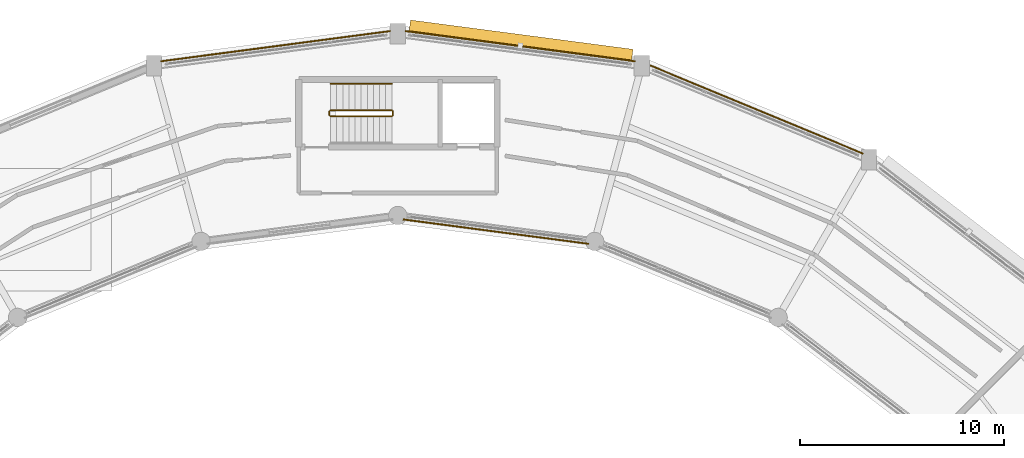
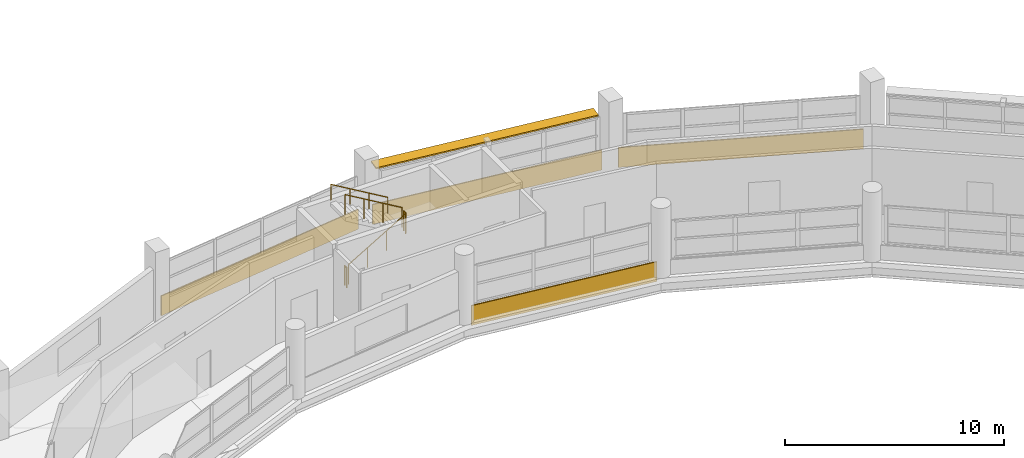
# One storey, part 87 of 88: 5 railings, 4 coverings, 1 shading device.
"""IFC4 building model written with IfcOpenShell, lengths in metres."""

from ifc_helpers import new_model, si_unit, direction, frame, frame_2d, origin, origin_2d, place, context, subcontext, project, spatial, rectangle, circle, extrude, material, layer, layer_set, type_object, element, save


model = new_model("IFC4")

# Units and contexts
model_context = context("Model", 3, precision=1e-05, world=origin(), true_north=direction((0.0, 1.0)))
body_context = subcontext(model_context, "Body", "Model", "MODEL_VIEW")
ifc_project = project(units=[si_unit("LENGTHUNIT", "METRE"), si_unit("AREAUNIT", "SQUARE_METRE"), si_unit("VOLUMEUNIT", "CUBIC_METRE"), si_unit("PLANEANGLEUNIT", "RADIAN"), si_unit("MASSUNIT", "GRAM", prefix="KILO")], contexts=[model_context])

# Site, building, storey
site_placement = place(None, origin())
site = spatial("IfcSite", under=ifc_project, at=site_placement, CompositionType="ELEMENT")
building_placement = place(site_placement, origin())
building = spatial("IfcBuilding", under=site, at=building_placement, Name="Vespera Passage Community Centre", CompositionType="ELEMENT")
storey_placement = place(building_placement, frame((0.0, 0.0, 16.5)))
storey = spatial("IfcBuildingStorey", under=building, at=storey_placement, Name="L04", CompositionType="ELEMENT", Elevation=16.5)

# Coverings
ifc_material_1 = material(Name="Precast concrete f'c 40 MPa", Category="concrete")
ifc_layer = layer(ifc_material_1, 0.06005859375)
ifc_layer_set = layer_set([ifc_layer], Name="Precast concrete f'c 40 MPa")
covering_type = type_object("IfcCoveringType", Name="COV-CLAD-60E", PredefinedType="CLADDING", material=ifc_layer_set)
covering_1_placement = place(storey_placement, frame((90.3486328125, 110.04052734375, -0.280029296875), z_axis=(0.0, 0.0, 1.0), x_axis=(0.923883530636, -0.382673779896, 0.0)))
element("IfcCovering", 1, at=covering_1_placement, inside=storey, type_object=covering_type, Name="V4 L04 Outer White Spandrel Band O4", PredefinedType="CLADDING", context=body_context, shape_type="SweptSolid", body=[
    extrude(rectangle(XDim=11.2724609375, YDim=0.06005859375, at=frame_2d((5.63623046875, 0.0))), origin(), (0.0, 0.0, 1.0), 1.10009765625),
])
covering_2_placement = place(storey_placement, frame((78.372314453125, 111.722412109375, -0.280029296875), z_axis=(0.0, 0.0, 1.0), x_axis=(0.991446004399, -0.130517509785, 0.0)))
element("IfcCovering", 2, at=covering_2_placement, inside=storey, type_object=covering_type, Name="V4 L04 Outer White Spandrel Band O5", PredefinedType="CLADDING", context=body_context, shape_type="SweptSolid", body=[
    extrude(rectangle(XDim=11.328125, YDim=0.06005859375, at=frame_2d((5.6640625, 0.0))), origin(), (0.0, 0.0, 1.0), 1.10009765625),
])
covering_3_placement = place(storey_placement, frame((87.332763671875, 101.31494140625, -0.280029296875), z_axis=(0.0, 0.0, 1.0), x_axis=(-0.99144567161, 0.13052003772, 0.0)))
element("IfcCovering", 3, at=covering_3_placement, inside=storey, type_object=covering_type, Name="V4 L04 Inner Court White Spandrel Band I5", PredefinedType="CLADDING", context=body_context, shape_type="SweptSolid", body=[
    extrude(rectangle(XDim=9.15625, YDim=0.06005859375, at=frame_2d((4.578125, 0.0))), origin(), (0.0, 0.0, 1.0), 1.10009765625),
])
covering_4_placement = place(storey_placement, frame((66.396484375, 110.243896484375, -0.280029296875), z_axis=(0.0, 0.0, 1.0), x_axis=(0.991446004399, 0.130517509785, 0.0)))
element("IfcCovering", 4, at=covering_4_placement, inside=storey, type_object=covering_type, Name="V4 L04 Outer White Spandrel Band O6", PredefinedType="CLADDING", context=body_context, shape_type="SweptSolid", body=[
    extrude(rectangle(XDim=11.328125, YDim=0.06005859375, at=frame_2d((5.6640625, 0.0))), origin(), (0.0, 0.0, 1.0), 1.10009765625),
])

# Railings
ifc_material_2 = material(Name="Steel ASTM A500 Grade C", Category="steel")
railing_type_1 = type_object("IfcRailingType", Name="RL-HAND-900I", PredefinedType="HANDRAIL", material=ifc_material_2)
railing_1_placement = place(storey_placement, frame((77.705078125, 109.14990234375, 2.127197265625)))
element("IfcRailing", 5, at=railing_1_placement, inside=storey, type_object=railing_type_1, Name="L04 ST06 stair handrail 2", PredefinedType="HANDRAIL", context=body_context, shape_type="SweptSolid", body=[
    extrude(circle(Radius=0.02392578125, at=origin_2d()), frame((0.0, 0.0, 0.8759765625), z_axis=(-0.86092931783, 0.0, 0.508724591208), x_axis=(0.0, -1.0, 0.0)), (0.0, 0.0, 1.0), 3.484619140625),
    extrude(circle(Radius=0.02099609375, at=origin_2d()), origin(), (0.0, 0.0, 1.0), 0.851806640625),
    extrude(circle(Radius=0.02099609375, at=origin_2d()), frame((-1.0, 0.0, 0.5908203125)), (0.0, 0.0, 1.0), 0.851806640625),
    extrude(circle(Radius=0.02099609375, at=origin_2d()), frame((-2.0, 0.0, 1.181884765625)), (0.0, 0.0, 1.0), 0.851806640625),
    extrude(circle(Radius=0.02099609375, at=origin_2d()), frame((-3.0, 0.0, 1.772705078125)), (0.0, 0.0, 1.0), 0.851806640625),
])
ifc_material_3 = material(Name="Steel ASTM A500 Grade C", Category="steel")
railing_type_2 = type_object("IfcRailingType", Name="RL-STAIR-1100I", PredefinedType="GUARDRAIL", material=ifc_material_3)
railing_2_placement = place(storey_placement, frame((74.705078125, 107.550048828125, 0.17724609375)))
element("IfcRailing", 6, at=railing_2_placement, inside=storey, type_object=railing_type_2, Name="L04 ST06 stair guard 1", PredefinedType="GUARDRAIL", context=body_context, shape_type="SweptSolid", body=[
    extrude(circle(Radius=0.02392578125, at=origin_2d()), frame((0.0, 0.0, 1.09619140625), z_axis=(0.86092931783, 0.0, 0.508724591208), x_axis=(0.0, 1.0, 0.0)), (0.0, 0.0, 1.0), 3.484619140625),
    extrude(circle(Radius=0.02099609375, at=origin_2d()), origin(), (0.0, 0.0, 1.0), 1.072021484375),
    extrude(circle(Radius=0.02099609375, at=origin_2d()), frame((1.0, 0.0, 0.5908203125)), (0.0, 0.0, 1.0), 1.072021484375),
    extrude(circle(Radius=0.02099609375, at=origin_2d()), frame((2.0, 0.0, 1.181884765625)), (0.0, 0.0, 1.0), 1.072021484375),
    extrude(circle(Radius=0.02099609375, at=origin_2d()), frame((3.0, 0.0, 1.772705078125)), (0.0, 0.0, 1.0), 1.072021484375),
])
railing_3_placement = place(storey_placement, frame((77.7548828125, 107.60009765625, 1.949951171875)))
element("IfcRailing", 7, at=railing_3_placement, inside=storey, type_object=railing_type_2, Name="L04 ST06 stair guard 2", PredefinedType="GUARDRAIL", context=body_context, shape_type="SweptSolid", body=[
    extrude(circle(Radius=0.02392578125, at=origin_2d()), frame((0.0, 0.0, 1.09619140625), z_axis=(0.0, 1.0, 0.0), x_axis=(-1.0, 0.0, 0.0)), (0.0, 0.0, 1.0), 0.199951171875),
    extrude(circle(Radius=0.02099609375, at=origin_2d()), origin(), (0.0, 0.0, 1.0), 1.072021484375),
    extrude(circle(Radius=0.02099609375, at=origin_2d()), frame((0.0, 0.199951171875, 0.0)), (0.0, 0.0, 1.0), 1.072021484375),
])
railing_4_placement = place(storey_placement, frame((77.705078125, 107.85009765625, 2.127197265625)))
element("IfcRailing", 8, at=railing_4_placement, inside=storey, type_object=railing_type_2, Name="L04 ST06 stair guard 3", PredefinedType="GUARDRAIL", context=body_context, shape_type="SweptSolid", body=[
    extrude(circle(Radius=0.02392578125, at=origin_2d()), frame((0.0, 0.0, 1.09619140625), z_axis=(-0.86092931783, 0.0, 0.508724591208), x_axis=(0.0, -1.0, 0.0)), (0.0, 0.0, 1.0), 3.484619140625),
    extrude(circle(Radius=0.02099609375, at=origin_2d()), origin(), (0.0, 0.0, 1.0), 1.072021484375),
    extrude(circle(Radius=0.02099609375, at=origin_2d()), frame((-1.0, 0.0, 0.5908203125)), (0.0, 0.0, 1.0), 1.072021484375),
    extrude(circle(Radius=0.02099609375, at=origin_2d()), frame((-2.0, 0.0, 1.181884765625)), (0.0, 0.0, 1.0), 1.072021484375),
    extrude(circle(Radius=0.02099609375, at=origin_2d()), frame((-3.0, 0.0, 1.772705078125)), (0.0, 0.0, 1.0), 1.072021484375),
])
railing_5_placement = place(storey_placement, frame((74.655029296875, 107.60009765625, 0.0)))
element("IfcRailing", 9, at=railing_5_placement, inside=storey, type_object=railing_type_2, Name="L04 ST06 stair guard 4", PredefinedType="GUARDRAIL", context=body_context, shape_type="SweptSolid", body=[
    extrude(circle(Radius=0.02392578125, at=origin_2d()), frame((0.0, 0.0, 1.09619140625), z_axis=(0.0, 1.0, 0.0), x_axis=(-1.0, 0.0, 0.0)), (0.0, 0.0, 1.0), 0.199951171875),
    extrude(circle(Radius=0.02099609375, at=origin_2d()), origin(), (0.0, 0.0, 1.0), 1.072021484375),
    extrude(circle(Radius=0.02099609375, at=origin_2d()), frame((0.0, 0.199951171875, 0.0)), (0.0, 0.0, 1.0), 1.072021484375),
])

# Shading device
ifc_material_4 = material(Name="Anodized aluminium 6063-T6", Category="aluminium")
shading_device_type = type_object("IfcShadingDeviceType", Name="SHD-EYEBROW", PredefinedType="JALOUSIE", material=ifc_material_4)
shading_device_placement = place(storey_placement, frame((84.023193359375, 111.250732421875, 2.74560546875), z_axis=(0.0, 0.0, 1.0), x_axis=(0.991444861374, -0.13052619222, 0.0)))
element("IfcShadingDevice", 10, at=shading_device_placement, inside=storey, type_object=shading_device_type, Name="V4 L04 Outer Solar Eyebrow 5", PredefinedType="JALOUSIE", context=body_context, shape_type="SweptSolid", body=[
    extrude(rectangle(XDim=10.97802734375, YDim=0.60009765625, at=origin_2d()), origin(), (0.0, 0.0, 1.0), 0.080078125),
])

save(model, "model.ifc")
